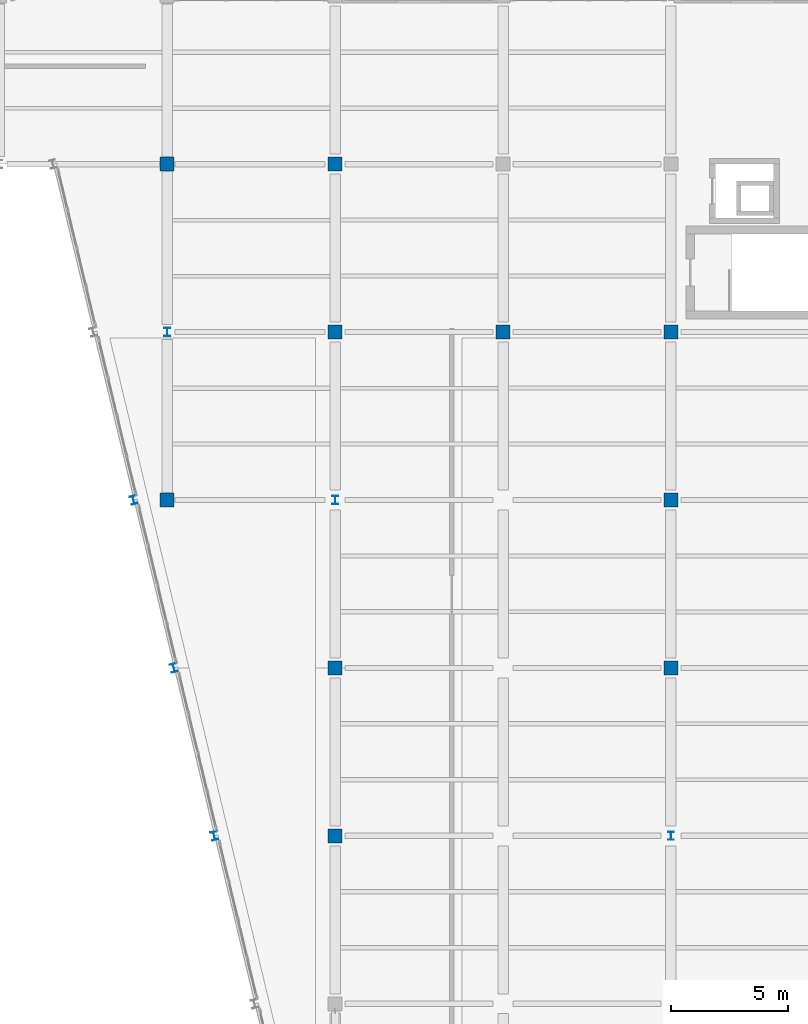
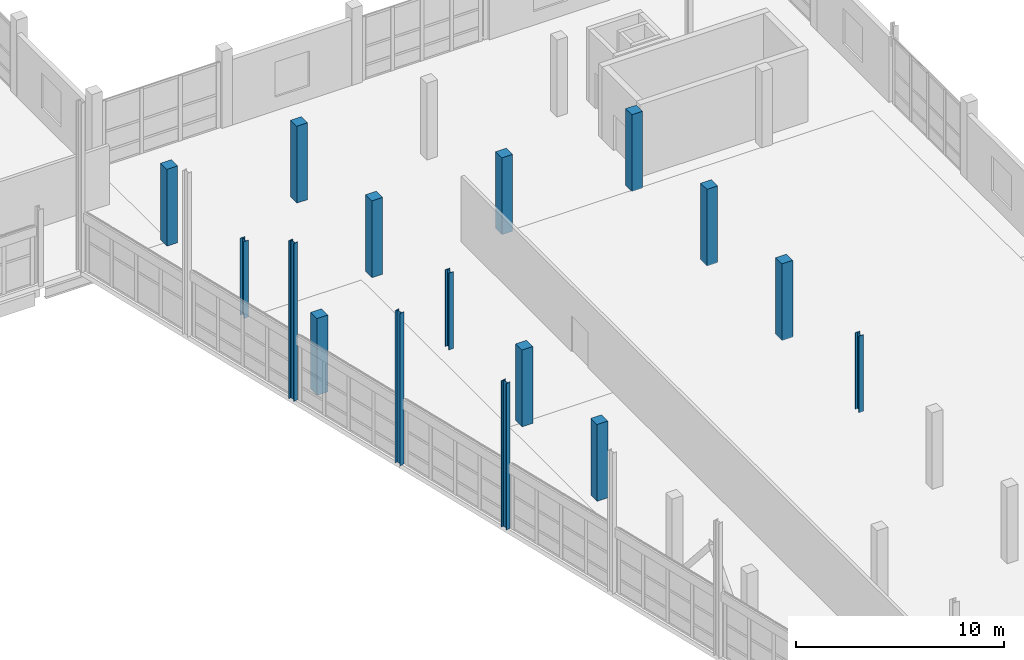
# One storey, part 22 of 123: 16 columns.
"""IFC4 building model written with IfcOpenShell, lengths in metres."""

from ifc_helpers import new_model, si_unit, direction, frame, origin, origin_2d, place, context, subcontext, project, spatial, rectangle, i_section, extrude, material, material_profile, profile_set, type_object, element, save


model = new_model("IFC4")

# Units and contexts
model_context = context("Model", 3, precision=1e-05, world=origin(), true_north=direction((0.0, 1.0)))
body_context = subcontext(model_context, "Body", "Model", "MODEL_VIEW")
ifc_project = project(units=[si_unit("LENGTHUNIT", "METRE"), si_unit("AREAUNIT", "SQUARE_METRE"), si_unit("VOLUMEUNIT", "CUBIC_METRE"), si_unit("PLANEANGLEUNIT", "RADIAN"), si_unit("MASSUNIT", "GRAM", prefix="KILO")], contexts=[model_context])

# Site, building, storey
site_placement = place(None, origin())
site = spatial("IfcSite", under=ifc_project, at=site_placement, CompositionType="ELEMENT")
building_placement = place(site_placement, origin())
building = spatial("IfcBuilding", under=site, at=building_placement, Name="Kalmorath City Hall", CompositionType="ELEMENT")
storey_placement = place(building_placement, frame((0.0, 0.0, 10.199951171875)))
storey = spatial("IfcBuildingStorey", under=building, at=storey_placement, Name="L02", CompositionType="ELEMENT", Elevation=10.199951171875)

# Columns
ifc_material_1 = material(Name="Concrete C50/60", Category="concrete")
ifc_material_profile_1 = material_profile(ifc_material_1, rectangle(XDim=0.60009765625, YDim=0.60009765625, at=origin_2d()), Name="RC-COL-600X600")
ifc_profile_set_1 = profile_set([ifc_material_profile_1], Name="Concrete C50/60")
column_type_1 = type_object("IfcColumnType", Name="Concrete column 600x600", PredefinedType="COLUMN", material=ifc_profile_set_1)
for number, where, z_axis, x_axis, name in (
    (1, (129.60009765625, 79.199951171875, 0.0), (0.0, 0.0, 1.0), (1.0, 0.0, 0.0), "L02 column C6 (19/12)"),
    (2, (129.60009765625, 93.60009765625, 0.0), (0.0, 0.0, 1.0), (1.0, 0.0, 0.0), "L02 column C6 (19/14)"),
    (3, (136.800048828125, 64.800048828125, 0.0), (0.0, 0.0, 1.0), (1.0, 0.0, 0.0), "L02 column C6 (20/10)"),
    (4, (136.800048828125, 72.0, 0.0), (0.0, 0.0, 1.0), (1.0, 0.0, 0.0), "L02 column C6 (20/11)"),
    (5, (136.800048828125, 86.39990234375, 0.0), (0.0, 0.0, 1.0), (1.0, 0.0, 0.0), "L02 column C6 (20/13)"),
    (6, (136.800048828125, 93.60009765625, 0.0), (0.0, 0.0, 1.0), (1.0, 0.0, 0.0), "L02 column C6 (20/14)"),
    (7, (144.0, 86.39990234375, 0.0), (0.0, 0.0, 1.0), (1.0, 0.0, 0.0), "L02 column C6 (21/13)"),
    (8, (151.199951171875, 72.0, 0.0), (0.0, 0.0, 1.0), (1.0, 0.0, 0.0), "L02 column C6 (22/11)"),
    (9, (151.199951171875, 79.199951171875, 0.0), (0.0, 0.0, 1.0), (1.0, 0.0, 0.0), "L02 column C6 (22/12)"),
    (10, (151.199951171875, 86.39990234375, 0.0), (0.0, 0.0, 1.0), (1.0, 0.0, 0.0), "L02 column C6 (22/13)"),
):
    element("IfcColumn", number, at=place(storey_placement, frame(where, z_axis=z_axis, x_axis=x_axis)), inside=storey, type_object=column_type_1, Name=name, PredefinedType="COLUMN", context=body_context, shape_type="SweptSolid", body=[
        extrude(rectangle(XDim=0.60009765625, YDim=0.60009765625, at=origin_2d()), origin(), (0.0, 0.0, 1.0), 4.5),
    ])
ifc_material_2 = material(Name="Steel ASTM A992 Grade 50", Category="steel")
ifc_material_profile_2 = material_profile(ifc_material_2, i_section(OverallWidth=0.25390625, OverallDepth=0.35302734375, WebThickness=0.009521484375, FlangeThickness=0.016357421875, FilletRadius=0.014892578125, at=origin_2d()), Name="W14X61")
ifc_profile_set_2 = profile_set([ifc_material_profile_2], Name="Steel ASTM A992 Grade 50")
column_type_2 = type_object("IfcColumnType", Name="Steel wide-flange column W14X61", PredefinedType="COLUMN", material=ifc_profile_set_2)
for number, where, z_axis, x_axis, name in (
    (11, (129.60009765625, 86.39990234375, 0.0), (0.0, 0.0, 1.0), (1.0, 0.0, 0.0), "L02 column SC1 (19/13)"),
    (12, (136.800048828125, 79.199951171875, 0.0), (0.0, 0.0, 1.0), (1.0, 0.0, 0.0), "L02 column SC1 (20/12)"),
    (13, (151.199951171875, 64.800048828125, 0.0), (0.0, 0.0, 1.0), (1.0, 0.0, 0.0), "L02 column SC1 (22/10)"),
):
    element("IfcColumn", number, at=place(storey_placement, frame(where, z_axis=z_axis, x_axis=x_axis)), inside=storey, type_object=column_type_2, Name=name, PredefinedType="COLUMN", context=body_context, shape_type="SweptSolid", body=[
        extrude(i_section(OverallWidth=0.25390625, OverallDepth=0.35302734375, WebThickness=0.009521484375, FlangeThickness=0.016357421875, FilletRadius=0.014892578125, at=origin_2d()), origin(), (0.0, 0.0, 1.0), 4.5),
    ])
ifc_material_3 = material(Name="Steel ASTM A992 Grade 50", Category="steel")
ifc_material_profile_3 = material_profile(ifc_material_3, i_section(OverallWidth=0.256103515625, OverallDepth=0.360107421875, WebThickness=0.011474609375, FlangeThickness=0.02001953125, FilletRadius=0.014892578125, at=origin_2d()), Name="W14X74")
ifc_profile_set_3 = profile_set([ifc_material_profile_3], Name="Steel ASTM A992 Grade 50")
column_type_3 = type_object("IfcColumnType", Name="Steel wide-flange column W14X74", PredefinedType="COLUMN", material=ifc_profile_set_3)
column_1_placement = place(storey_placement, frame((131.6142578125, 64.800048828125, 0.0), z_axis=(0.0, 0.0, 1.0), x_axis=(0.972369920398, 0.233445363856, 0.0)))
element("IfcColumn", 14, at=column_1_placement, inside=storey, type_object=column_type_3, Name="L02 library splay column SC4-4", PredefinedType="COLUMN", context=body_context, shape_type="SweptSolid", body=[
    extrude(i_section(OverallWidth=0.256103515625, OverallDepth=0.360107421875, WebThickness=0.011474609375, FlangeThickness=0.02001953125, FilletRadius=0.014892578125, at=origin_2d()), origin(), (0.0, 0.0, 1.0), 8.5693359375),
])
column_2_placement = place(storey_placement, frame((129.8857421875, 72.0, 0.0), z_axis=(0.0, 0.0, 1.0), x_axis=(0.972369920398, 0.233445363856, 0.0)))
element("IfcColumn", 15, at=column_2_placement, inside=storey, type_object=column_type_3, Name="L02 library splay column SC4-5", PredefinedType="COLUMN", context=body_context, shape_type="SweptSolid", body=[
    extrude(i_section(OverallWidth=0.256103515625, OverallDepth=0.360107421875, WebThickness=0.011474609375, FlangeThickness=0.02001953125, FilletRadius=0.014892578125, at=origin_2d()), origin(), (0.0, 0.0, 1.0), 8.90625),
])
column_3_placement = place(storey_placement, frame((128.1572265625, 79.199951171875, 0.0), z_axis=(0.0, 0.0, 1.0), x_axis=(0.972369920398, 0.233445363856, 0.0)))
element("IfcColumn", 16, at=column_3_placement, inside=storey, type_object=column_type_3, Name="L02 library splay column SC4-6", PredefinedType="COLUMN", context=body_context, shape_type="SweptSolid", body=[
    extrude(i_section(OverallWidth=0.256103515625, OverallDepth=0.360107421875, WebThickness=0.011474609375, FlangeThickness=0.02001953125, FilletRadius=0.014892578125, at=origin_2d()), origin(), (0.0, 0.0, 1.0), 9.243408203125),
])

save(model, "model.ifc")
